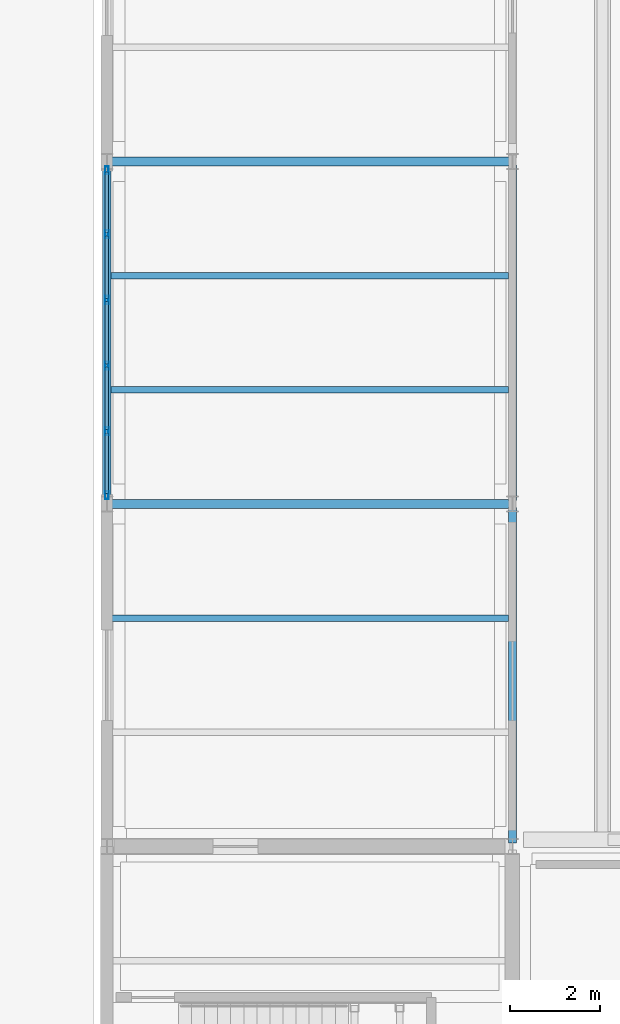
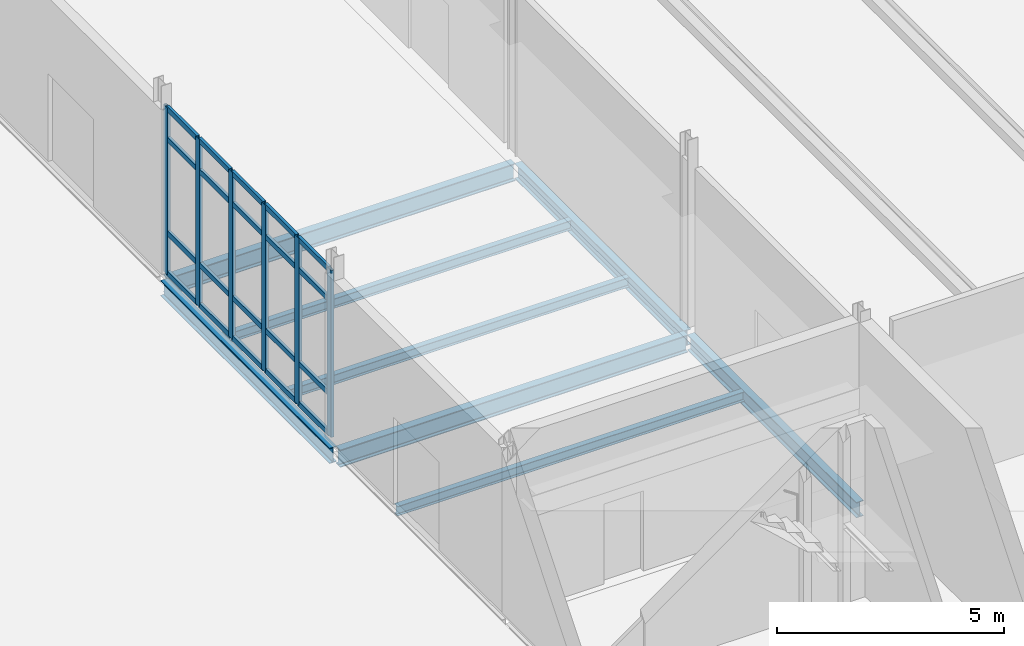
# One storey, part 102 of 161: 26 members, 8 beams, 1 element without a shape of its own.
"""IFC4 building model written with IfcOpenShell, lengths in metres."""

from ifc_helpers import new_model, si_unit, direction, frame, origin, origin_2d, place, context, subcontext, project, spatial, hollow_rectangle, i_section, extrude, material, material_profile, profile_set, type_object, element, aggregate, save


model = new_model("IFC4")

# Units and contexts
model_context = context("Model", 3, precision=1e-05, world=origin(), true_north=direction((0.0, 1.0)))
body_context = subcontext(model_context, "Body", "Model", "MODEL_VIEW")
ifc_project = project(units=[si_unit("LENGTHUNIT", "METRE"), si_unit("AREAUNIT", "SQUARE_METRE"), si_unit("VOLUMEUNIT", "CUBIC_METRE"), si_unit("PLANEANGLEUNIT", "RADIAN"), si_unit("MASSUNIT", "GRAM", prefix="KILO")], contexts=[model_context])

# Site, building, storey
site_placement = place(None, origin())
site = spatial("IfcSite", under=ifc_project, at=site_placement, CompositionType="ELEMENT")
building_placement = place(site_placement, origin())
building = spatial("IfcBuilding", under=site, at=building_placement, Name="Caisbarro Railhouse Central Library", CompositionType="ELEMENT")
storey_placement = place(building_placement, origin())
storey = spatial("IfcBuildingStorey", under=building, at=storey_placement, Name="L00", CompositionType="ELEMENT", Elevation=0.0)

# Beams
ifc_material_1 = material(Name="Steel ASTM A572 Grade 50", Category="steel")
ifc_material_profile_1 = material_profile(ifc_material_1, i_section(OverallWidth=0.194091796875, OverallDepth=0.468994140625, WebThickness=0.0126953125, FlangeThickness=0.0205078125, FilletRadius=0.01806640625, at=origin_2d()), Name="W460X106.0")
ifc_profile_set_1 = profile_set([ifc_material_profile_1], Name="Steel ASTM A572 Grade 50")
beam_type_1 = type_object("IfcBeamType", Name="BM-G07", PredefinedType="BEAM", material=ifc_profile_set_1)
for number, where, z_axis, x_axis, name in (
    (1, (144.080078125, 15.199951171875, -0.484619140625), (1.0, 0.0, 0.0), (0.0, 1.0, 0.0), "G07 beam L00 #458"),
    (2, (144.080078125, 22.800048828125, -0.484619140625), (1.0, 0.0, 0.0), (0.0, 1.0, 0.0), "G07 beam L00 #459"),
):
    element("IfcBeam", number, at=place(storey_placement, frame(where, z_axis=z_axis, x_axis=x_axis)), inside=storey, type_object=beam_type_1, Name=name, PredefinedType="BEAM", context=body_context, shape_type="SweptSolid", body=[
        extrude(i_section(OverallWidth=0.194091796875, OverallDepth=0.468994140625, WebThickness=0.0126953125, FlangeThickness=0.0205078125, FilletRadius=0.01806640625, at=origin_2d()), origin(), (0.0, 0.0, 1.0), 8.83984375),
    ])
ifc_material_profile_2 = material_profile(ifc_material_1, i_section(OverallWidth=0.180908203125, OverallDepth=0.4169921875, WebThickness=0.010986328125, FlangeThickness=0.018310546875, FilletRadius=0.01611328125, at=origin_2d()), Name="W410X85.0")
ifc_profile_set_2 = profile_set([ifc_material_profile_2], Name="Steel ASTM A572 Grade 50")
beam_type_2 = type_object("IfcBeamType", Name="BM-G09", PredefinedType="BEAM", material=ifc_profile_set_2)
beam_1_placement = place(storey_placement, frame((144.0, 15.280029296875, -0.45849609375), z_axis=(0.0, 1.0, 0.0), x_axis=(-1.0, 0.0, 0.0)))
element("IfcBeam", 3, at=beam_1_placement, inside=storey, type_object=beam_type_2, Name="G09 beam L00 #467", PredefinedType="BEAM", context=body_context, shape_type="SweptSolid", body=[
    extrude(i_section(OverallWidth=0.180908203125, OverallDepth=0.4169921875, WebThickness=0.010986328125, FlangeThickness=0.018310546875, FilletRadius=0.01611328125, at=origin_2d()), origin(), (0.0, 0.0, 1.0), 7.43994140625),
])
beam_2_placement = place(storey_placement, frame((153.0, 7.679931640625, -0.45849609375), z_axis=(0.0, 1.0, 0.0), x_axis=(-1.0, 0.0, 0.0)))
element("IfcBeam", 4, at=beam_2_placement, inside=storey, type_object=beam_type_2, Name="G09 beam L00 #471", PredefinedType="BEAM", context=body_context, shape_type="SweptSolid", body=[
    extrude(i_section(OverallWidth=0.180908203125, OverallDepth=0.4169921875, WebThickness=0.010986328125, FlangeThickness=0.018310546875, FilletRadius=0.01611328125, at=origin_2d()), origin(), (0.0, 0.0, 1.0), 7.440185546875),
])
beam_3_placement = place(storey_placement, frame((153.0, 15.280029296875, -0.45849609375), z_axis=(0.0, 1.0, 0.0), x_axis=(-1.0, 0.0, 0.0)))
element("IfcBeam", 5, at=beam_3_placement, inside=storey, type_object=beam_type_2, Name="G09 beam L00 #472", PredefinedType="BEAM", context=body_context, shape_type="SweptSolid", body=[
    extrude(i_section(OverallWidth=0.180908203125, OverallDepth=0.4169921875, WebThickness=0.010986328125, FlangeThickness=0.018310546875, FilletRadius=0.01611328125, at=origin_2d()), origin(), (0.0, 0.0, 1.0), 7.43994140625),
])
ifc_material_profile_3 = material_profile(ifc_material_1, i_section(OverallWidth=0.14599609375, OverallDepth=0.258056640625, WebThickness=0.006103515625, FlangeThickness=0.009033203125, FilletRadius=0.010009765625, at=origin_2d()), Name="W250X32.7")
ifc_profile_set_3 = profile_set([ifc_material_profile_3], Name="Steel ASTM A572 Grade 50")
beam_type_3 = type_object("IfcBeamType", Name="BM-J05", PredefinedType="JOIST", material=ifc_profile_set_3)
for number, where, z_axis, x_axis, name in (
    (6, (144.090576171875, 12.666748046875, -0.37890625), (1.0, 0.0, 0.0), (0.0, 1.0, 0.0), "J05 beam L00 #483"),
    (7, (144.090576171875, 17.7333984375, -0.37890625), (1.0, 0.0, 0.0), (0.0, 1.0, 0.0), "J05 beam L00 #484"),
    (8, (144.090576171875, 20.2666015625, -0.37890625), (1.0, 0.0, 0.0), (0.0, 1.0, 0.0), "J05 beam L00 #485"),
):
    element("IfcBeam", number, at=place(storey_placement, frame(where, z_axis=z_axis, x_axis=x_axis)), inside=storey, type_object=beam_type_3, Name=name, PredefinedType="JOIST", context=body_context, shape_type="SweptSolid", body=[
        extrude(i_section(OverallWidth=0.14599609375, OverallDepth=0.258056640625, WebThickness=0.006103515625, FlangeThickness=0.009033203125, FilletRadius=0.010009765625, at=origin_2d()), origin(), (0.0, 0.0, 1.0), 8.81884765625),
    ])

# Curtain wall, members
ifc_material_2 = material(Name="Anodised architectural aluminium", Category="aluminium")
curtain_wall_type = type_object("IfcCurtainWallType", Name="CW-CW01", PredefinedType="NOTDEFINED", material=ifc_material_2)
curtain_wall_placement = place(storey_placement, origin())
curtain_wall = element("IfcCurtainWall", 9, at=curtain_wall_placement, inside=storey, type_object=curtain_wall_type, Name="CW01 curtain wall L00 #86", PredefinedType="NOTDEFINED")
ifc_material_profile_4 = material_profile(ifc_material_2, hollow_rectangle(XDim=0.074951171875, YDim=0.179931640625, WallThickness=0.00439453125, at=origin_2d()), Name="ALU-MUL-75X180")
ifc_profile_set_4 = profile_set([ifc_material_profile_4], Name="Anodised architectural aluminium")
member_type_1 = type_object("IfcMemberType", Name="CWM-M01", PredefinedType="MULLION", material=ifc_profile_set_4)
member_1_placement = place(storey_placement, frame((144.0, 15.3974609375, 0.0), z_axis=(0.0, 0.0, 1.0), x_axis=(-1.0, 0.0, 0.0)))
member_1 = element("IfcMember", 10, at=member_1_placement, type_object=member_type_1, Name="CW01 mullion 1", PredefinedType="MULLION", context=body_context, shape_type="SweptSolid", body=[
    extrude(hollow_rectangle(XDim=0.074951171875, YDim=0.179931640625, WallThickness=0.00439453125, at=origin_2d()), origin(), (0.0, 0.0, 1.0), 4.489990234375),
])
member_2_placement = place(storey_placement, frame((144.0, 16.81591796875, 0.0), z_axis=(0.0, 0.0, 1.0), x_axis=(-1.0, 0.0, 0.0)))
member_2 = element("IfcMember", 11, at=member_2_placement, type_object=member_type_1, Name="CW01 mullion 2", PredefinedType="MULLION", context=body_context, shape_type="SweptSolid", body=[
    extrude(hollow_rectangle(XDim=0.074951171875, YDim=0.179931640625, WallThickness=0.00439453125, at=origin_2d()), origin(), (0.0, 0.0, 1.0), 4.489990234375),
])
member_3_placement = place(storey_placement, frame((144.0, 18.27197265625, 0.0), z_axis=(0.0, 0.0, 1.0), x_axis=(-1.0, 0.0, 0.0)))
member_3 = element("IfcMember", 12, at=member_3_placement, type_object=member_type_1, Name="CW01 mullion 3", PredefinedType="MULLION", context=body_context, shape_type="SweptSolid", body=[
    extrude(hollow_rectangle(XDim=0.074951171875, YDim=0.179931640625, WallThickness=0.00439453125, at=origin_2d()), origin(), (0.0, 0.0, 1.0), 4.489990234375),
])
member_4_placement = place(storey_placement, frame((144.0, 19.72802734375, 0.0), z_axis=(0.0, 0.0, 1.0), x_axis=(-1.0, 0.0, 0.0)))
member_4 = element("IfcMember", 13, at=member_4_placement, type_object=member_type_1, Name="CW01 mullion 4", PredefinedType="MULLION", context=body_context, shape_type="SweptSolid", body=[
    extrude(hollow_rectangle(XDim=0.074951171875, YDim=0.179931640625, WallThickness=0.00439453125, at=origin_2d()), origin(), (0.0, 0.0, 1.0), 4.489990234375),
])
member_5_placement = place(storey_placement, frame((144.0, 21.18408203125, 0.0), z_axis=(0.0, 0.0, 1.0), x_axis=(-1.0, 0.0, 0.0)))
member_5 = element("IfcMember", 14, at=member_5_placement, type_object=member_type_1, Name="CW01 mullion 5", PredefinedType="MULLION", context=body_context, shape_type="SweptSolid", body=[
    extrude(hollow_rectangle(XDim=0.074951171875, YDim=0.179931640625, WallThickness=0.00439453125, at=origin_2d()), origin(), (0.0, 0.0, 1.0), 4.489990234375),
])
member_6_placement = place(storey_placement, frame((144.0, 22.6025390625, 0.0), z_axis=(0.0, 0.0, 1.0), x_axis=(-1.0, 0.0, 0.0)))
member_6 = element("IfcMember", 15, at=member_6_placement, type_object=member_type_1, Name="CW01 mullion 6", PredefinedType="MULLION", context=body_context, shape_type="SweptSolid", body=[
    extrude(hollow_rectangle(XDim=0.074951171875, YDim=0.179931640625, WallThickness=0.00439453125, at=origin_2d()), origin(), (0.0, 0.0, 1.0), 4.489990234375),
])
ifc_material_profile_5 = material_profile(ifc_material_2, hollow_rectangle(XDim=0.074951171875, YDim=0.139892578125, WallThickness=0.00390625, at=origin_2d()), Name="ALU-TRN-75X140")
ifc_profile_set_5 = profile_set([ifc_material_profile_5], Name="Anodised architectural aluminium")
member_type_2 = type_object("IfcMemberType", Name="CWT-T01", PredefinedType="USERDEFINED", material=ifc_profile_set_5)
member_7_placement = place(storey_placement, frame((144.0, 15.43505859375, 0.03759765625), z_axis=(0.0, 1.0, 0.0), x_axis=(-1.0, 0.0, 0.0)))
member_7 = element("IfcMember", 16, at=member_7_placement, type_object=member_type_2, Name="CW01 transom 1.1", ObjectType="TRANSOM", PredefinedType="USERDEFINED", context=body_context, shape_type="SweptSolid", body=[
    extrude(hollow_rectangle(XDim=0.074951171875, YDim=0.139892578125, WallThickness=0.00390625, at=origin_2d()), origin(), (0.0, 0.0, 1.0), 1.343505859375),
])
member_8_placement = place(storey_placement, frame((144.0, 15.43505859375, 1.1201171875), z_axis=(0.0, 1.0, 0.0), x_axis=(-1.0, 0.0, 0.0)))
member_8 = element("IfcMember", 17, at=member_8_placement, type_object=member_type_2, Name="CW01 transom 1.2", ObjectType="TRANSOM", PredefinedType="USERDEFINED", context=body_context, shape_type="SweptSolid", body=[
    extrude(hollow_rectangle(XDim=0.074951171875, YDim=0.139892578125, WallThickness=0.00390625, at=origin_2d()), origin(), (0.0, 0.0, 1.0), 1.343505859375),
])
member_9_placement = place(storey_placement, frame((144.0, 15.43505859375, 3.639892578125), z_axis=(0.0, 1.0, 0.0), x_axis=(-1.0, 0.0, 0.0)))
member_9 = element("IfcMember", 18, at=member_9_placement, type_object=member_type_2, Name="CW01 transom 1.3", ObjectType="TRANSOM", PredefinedType="USERDEFINED", context=body_context, shape_type="SweptSolid", body=[
    extrude(hollow_rectangle(XDim=0.074951171875, YDim=0.139892578125, WallThickness=0.00390625, at=origin_2d()), origin(), (0.0, 0.0, 1.0), 1.343505859375),
])
member_10_placement = place(storey_placement, frame((144.0, 15.43505859375, 4.452392578125), z_axis=(0.0, 1.0, 0.0), x_axis=(-1.0, 0.0, 0.0)))
member_10 = element("IfcMember", 19, at=member_10_placement, type_object=member_type_2, Name="CW01 transom 1.4", ObjectType="TRANSOM", PredefinedType="USERDEFINED", context=body_context, shape_type="SweptSolid", body=[
    extrude(hollow_rectangle(XDim=0.074951171875, YDim=0.139892578125, WallThickness=0.00390625, at=origin_2d()), origin(), (0.0, 0.0, 1.0), 1.343505859375),
])
member_11_placement = place(storey_placement, frame((144.0, 16.853515625, 0.03759765625), z_axis=(0.0, 1.0, 0.0), x_axis=(-1.0, 0.0, 0.0)))
member_11 = element("IfcMember", 20, at=member_11_placement, type_object=member_type_2, Name="CW01 transom 2.1", ObjectType="TRANSOM", PredefinedType="USERDEFINED", context=body_context, shape_type="SweptSolid", body=[
    extrude(hollow_rectangle(XDim=0.074951171875, YDim=0.139892578125, WallThickness=0.00390625, at=origin_2d()), origin(), (0.0, 0.0, 1.0), 1.381103515625),
])
member_12_placement = place(storey_placement, frame((144.0, 16.853515625, 1.1201171875), z_axis=(0.0, 1.0, 0.0), x_axis=(-1.0, 0.0, 0.0)))
member_12 = element("IfcMember", 21, at=member_12_placement, type_object=member_type_2, Name="CW01 transom 2.2", ObjectType="TRANSOM", PredefinedType="USERDEFINED", context=body_context, shape_type="SweptSolid", body=[
    extrude(hollow_rectangle(XDim=0.074951171875, YDim=0.139892578125, WallThickness=0.00390625, at=origin_2d()), origin(), (0.0, 0.0, 1.0), 1.381103515625),
])
member_13_placement = place(storey_placement, frame((144.0, 16.853515625, 3.639892578125), z_axis=(0.0, 1.0, 0.0), x_axis=(-1.0, 0.0, 0.0)))
member_13 = element("IfcMember", 22, at=member_13_placement, type_object=member_type_2, Name="CW01 transom 2.3", ObjectType="TRANSOM", PredefinedType="USERDEFINED", context=body_context, shape_type="SweptSolid", body=[
    extrude(hollow_rectangle(XDim=0.074951171875, YDim=0.139892578125, WallThickness=0.00390625, at=origin_2d()), origin(), (0.0, 0.0, 1.0), 1.381103515625),
])
member_14_placement = place(storey_placement, frame((144.0, 16.853515625, 4.452392578125), z_axis=(0.0, 1.0, 0.0), x_axis=(-1.0, 0.0, 0.0)))
member_14 = element("IfcMember", 23, at=member_14_placement, type_object=member_type_2, Name="CW01 transom 2.4", ObjectType="TRANSOM", PredefinedType="USERDEFINED", context=body_context, shape_type="SweptSolid", body=[
    extrude(hollow_rectangle(XDim=0.074951171875, YDim=0.139892578125, WallThickness=0.00390625, at=origin_2d()), origin(), (0.0, 0.0, 1.0), 1.381103515625),
])
member_15_placement = place(storey_placement, frame((144.0, 18.3095703125, 0.03759765625), z_axis=(0.0, 1.0, 0.0), x_axis=(-1.0, 0.0, 0.0)))
member_15 = element("IfcMember", 24, at=member_15_placement, type_object=member_type_2, Name="CW01 transom 3.1", ObjectType="TRANSOM", PredefinedType="USERDEFINED", context=body_context, shape_type="SweptSolid", body=[
    extrude(hollow_rectangle(XDim=0.074951171875, YDim=0.139892578125, WallThickness=0.00390625, at=origin_2d()), origin(), (0.0, 0.0, 1.0), 1.380859375),
])
member_16_placement = place(storey_placement, frame((144.0, 18.3095703125, 1.1201171875), z_axis=(0.0, 1.0, 0.0), x_axis=(-1.0, 0.0, 0.0)))
member_16 = element("IfcMember", 25, at=member_16_placement, type_object=member_type_2, Name="CW01 transom 3.2", ObjectType="TRANSOM", PredefinedType="USERDEFINED", context=body_context, shape_type="SweptSolid", body=[
    extrude(hollow_rectangle(XDim=0.074951171875, YDim=0.139892578125, WallThickness=0.00390625, at=origin_2d()), origin(), (0.0, 0.0, 1.0), 1.380859375),
])
member_17_placement = place(storey_placement, frame((144.0, 18.3095703125, 3.639892578125), z_axis=(0.0, 1.0, 0.0), x_axis=(-1.0, 0.0, 0.0)))
member_17 = element("IfcMember", 26, at=member_17_placement, type_object=member_type_2, Name="CW01 transom 3.3", ObjectType="TRANSOM", PredefinedType="USERDEFINED", context=body_context, shape_type="SweptSolid", body=[
    extrude(hollow_rectangle(XDim=0.074951171875, YDim=0.139892578125, WallThickness=0.00390625, at=origin_2d()), origin(), (0.0, 0.0, 1.0), 1.380859375),
])
member_18_placement = place(storey_placement, frame((144.0, 18.3095703125, 4.452392578125), z_axis=(0.0, 1.0, 0.0), x_axis=(-1.0, 0.0, 0.0)))
member_18 = element("IfcMember", 27, at=member_18_placement, type_object=member_type_2, Name="CW01 transom 3.4", ObjectType="TRANSOM", PredefinedType="USERDEFINED", context=body_context, shape_type="SweptSolid", body=[
    extrude(hollow_rectangle(XDim=0.074951171875, YDim=0.139892578125, WallThickness=0.00390625, at=origin_2d()), origin(), (0.0, 0.0, 1.0), 1.380859375),
])
member_19_placement = place(storey_placement, frame((144.0, 19.765380859375, 0.03759765625), z_axis=(0.0, 1.0, 0.0), x_axis=(-1.0, 0.0, 0.0)))
member_19 = element("IfcMember", 28, at=member_19_placement, type_object=member_type_2, Name="CW01 transom 4.1", ObjectType="TRANSOM", PredefinedType="USERDEFINED", context=body_context, shape_type="SweptSolid", body=[
    extrude(hollow_rectangle(XDim=0.074951171875, YDim=0.139892578125, WallThickness=0.00390625, at=origin_2d()), origin(), (0.0, 0.0, 1.0), 1.381103515625),
])
member_20_placement = place(storey_placement, frame((144.0, 19.765380859375, 1.1201171875), z_axis=(0.0, 1.0, 0.0), x_axis=(-1.0, 0.0, 0.0)))
member_20 = element("IfcMember", 29, at=member_20_placement, type_object=member_type_2, Name="CW01 transom 4.2", ObjectType="TRANSOM", PredefinedType="USERDEFINED", context=body_context, shape_type="SweptSolid", body=[
    extrude(hollow_rectangle(XDim=0.074951171875, YDim=0.139892578125, WallThickness=0.00390625, at=origin_2d()), origin(), (0.0, 0.0, 1.0), 1.381103515625),
])
member_21_placement = place(storey_placement, frame((144.0, 19.765380859375, 3.639892578125), z_axis=(0.0, 1.0, 0.0), x_axis=(-1.0, 0.0, 0.0)))
member_21 = element("IfcMember", 30, at=member_21_placement, type_object=member_type_2, Name="CW01 transom 4.3", ObjectType="TRANSOM", PredefinedType="USERDEFINED", context=body_context, shape_type="SweptSolid", body=[
    extrude(hollow_rectangle(XDim=0.074951171875, YDim=0.139892578125, WallThickness=0.00390625, at=origin_2d()), origin(), (0.0, 0.0, 1.0), 1.381103515625),
])
member_22_placement = place(storey_placement, frame((144.0, 19.765380859375, 4.452392578125), z_axis=(0.0, 1.0, 0.0), x_axis=(-1.0, 0.0, 0.0)))
member_22 = element("IfcMember", 31, at=member_22_placement, type_object=member_type_2, Name="CW01 transom 4.4", ObjectType="TRANSOM", PredefinedType="USERDEFINED", context=body_context, shape_type="SweptSolid", body=[
    extrude(hollow_rectangle(XDim=0.074951171875, YDim=0.139892578125, WallThickness=0.00390625, at=origin_2d()), origin(), (0.0, 0.0, 1.0), 1.381103515625),
])
member_23_placement = place(storey_placement, frame((144.0, 21.221435546875, 0.03759765625), z_axis=(0.0, 1.0, 0.0), x_axis=(-1.0, 0.0, 0.0)))
member_23 = element("IfcMember", 32, at=member_23_placement, type_object=member_type_2, Name="CW01 transom 5.1", ObjectType="TRANSOM", PredefinedType="USERDEFINED", context=body_context, shape_type="SweptSolid", body=[
    extrude(hollow_rectangle(XDim=0.074951171875, YDim=0.139892578125, WallThickness=0.00390625, at=origin_2d()), origin(), (0.0, 0.0, 1.0), 1.343505859375),
])
member_24_placement = place(storey_placement, frame((144.0, 21.221435546875, 1.1201171875), z_axis=(0.0, 1.0, 0.0), x_axis=(-1.0, 0.0, 0.0)))
member_24 = element("IfcMember", 33, at=member_24_placement, type_object=member_type_2, Name="CW01 transom 5.2", ObjectType="TRANSOM", PredefinedType="USERDEFINED", context=body_context, shape_type="SweptSolid", body=[
    extrude(hollow_rectangle(XDim=0.074951171875, YDim=0.139892578125, WallThickness=0.00390625, at=origin_2d()), origin(), (0.0, 0.0, 1.0), 1.343505859375),
])
member_25_placement = place(storey_placement, frame((144.0, 21.221435546875, 3.639892578125), z_axis=(0.0, 1.0, 0.0), x_axis=(-1.0, 0.0, 0.0)))
member_25 = element("IfcMember", 34, at=member_25_placement, type_object=member_type_2, Name="CW01 transom 5.3", ObjectType="TRANSOM", PredefinedType="USERDEFINED", context=body_context, shape_type="SweptSolid", body=[
    extrude(hollow_rectangle(XDim=0.074951171875, YDim=0.139892578125, WallThickness=0.00390625, at=origin_2d()), origin(), (0.0, 0.0, 1.0), 1.343505859375),
])
member_26_placement = place(storey_placement, frame((144.0, 21.221435546875, 4.452392578125), z_axis=(0.0, 1.0, 0.0), x_axis=(-1.0, 0.0, 0.0)))
member_26 = element("IfcMember", 35, at=member_26_placement, type_object=member_type_2, Name="CW01 transom 5.4", ObjectType="TRANSOM", PredefinedType="USERDEFINED", context=body_context, shape_type="SweptSolid", body=[
    extrude(hollow_rectangle(XDim=0.074951171875, YDim=0.139892578125, WallThickness=0.00390625, at=origin_2d()), origin(), (0.0, 0.0, 1.0), 1.343505859375),
])
aggregate(curtain_wall, [member_1, member_2, member_3, member_4, member_5, member_6, member_7, member_8, member_9, member_10, member_11, member_12, member_13, member_14, member_15, member_16, member_17, member_18, member_19, member_20, member_21, member_22, member_23, member_24, member_25, member_26])

save(model, "model.ifc")
